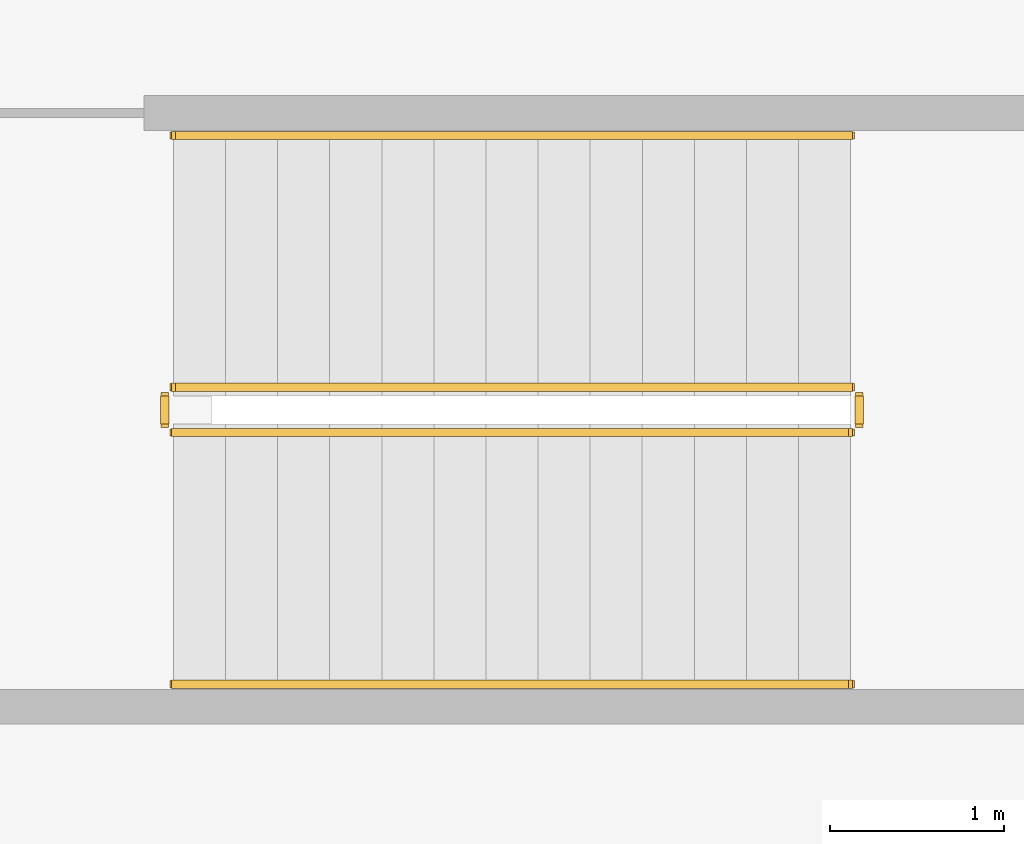
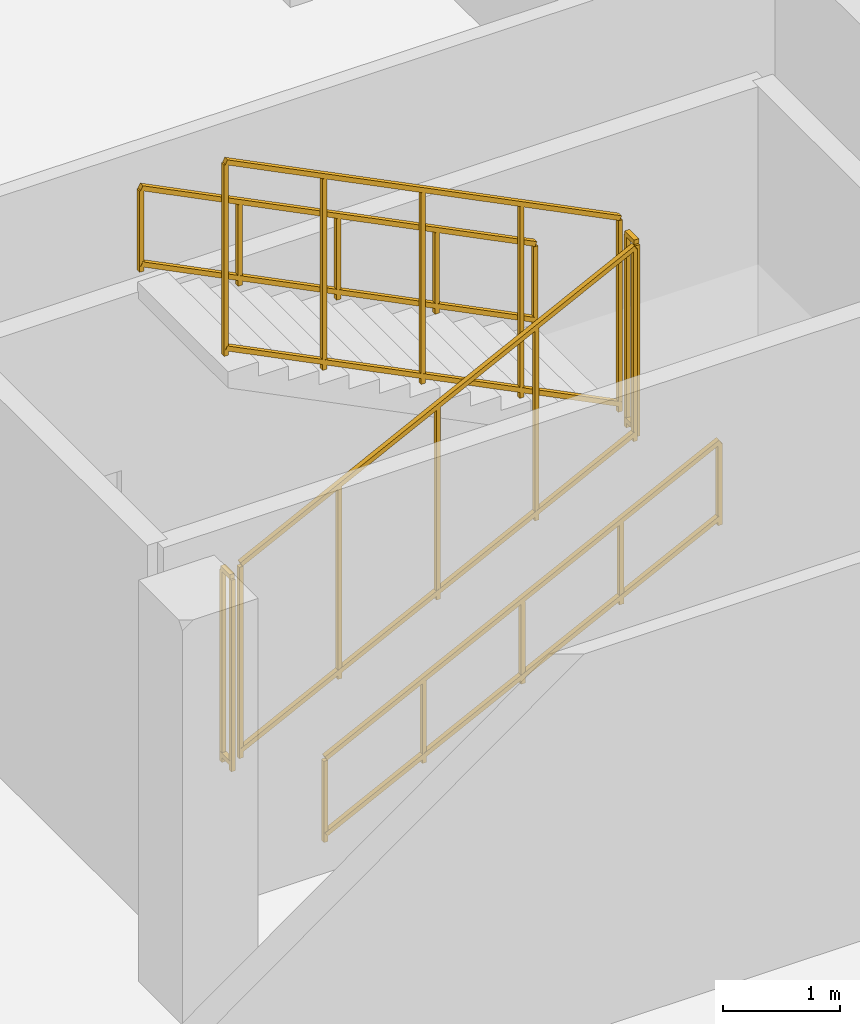
# One storey, part 17 of 19: 6 railings.
"""IFC4 building model written with IfcOpenShell, lengths in metres."""

from ifc_helpers import new_model, si_unit, direction, frame, origin, origin_2d, place, context, subcontext, project, spatial, rectangle, extrude, material, type_object, element, save


model = new_model("IFC4")

# Units and contexts
model_context = context("Model", 3, precision=1e-05, world=origin(), true_north=direction((0.0, 1.0)))
body_context = subcontext(model_context, "Body", "Model", "MODEL_VIEW")
ifc_project = project(units=[si_unit("LENGTHUNIT", "METRE"), si_unit("AREAUNIT", "SQUARE_METRE"), si_unit("VOLUMEUNIT", "CUBIC_METRE"), si_unit("PLANEANGLEUNIT", "RADIAN"), si_unit("MASSUNIT", "GRAM", prefix="KILO")], contexts=[model_context])

# Site, building, storey
site_placement = place(None, origin())
site = spatial("IfcSite", under=ifc_project, at=site_placement, CompositionType="ELEMENT")
building_placement = place(site_placement, origin())
building = spatial("IfcBuilding", under=site, at=building_placement, Name="Khorvyn Point Tower", CompositionType="ELEMENT")
storey_placement = place(building_placement, frame((0.0, 0.0, 13.199951171875)))
storey = spatial("IfcBuildingStorey", under=building, at=storey_placement, Name="L04", CompositionType="ELEMENT", Elevation=13.199951171875)

# Railings
ifc_material = material(Name="Stainless steel 1.4301", Category="steel")
railing_type_1 = type_object("IfcRailingType", Name="Stainless Steel 304 Stair Pitch Handrail 900", PredefinedType="HANDRAIL", material=ifc_material)
railing_1_placement = place(storey_placement, frame((25.949951171875, 8.610107421875, 0.150146484375)))
element("IfcRailing", 1, at=railing_1_placement, inside=storey, type_object=railing_type_1, Name="L04 ST-S3 stair handrail 1", PredefinedType="HANDRAIL", context=body_context, shape_type="SweptSolid", body=[
    extrude(rectangle(XDim=0.048095703125, YDim=0.048095703125, at=origin_2d()), frame((0.0, 0.0, 0.8759765625), z_axis=(0.894438388696, 0.0, 0.447191199406), x_axis=(0.0, 1.0, 0.0)), (0.0, 0.0, 1.0), 4.3603515625),
    extrude(rectangle(XDim=0.048095703125, YDim=0.048095703125, at=origin_2d()), frame((0.0, 0.0, 0.080078125), z_axis=(0.894438388696, 0.0, 0.447191199406), x_axis=(0.0, 1.0, 0.0)), (0.0, 0.0, 1.0), 4.3603515625),
    extrude(rectangle(XDim=0.0419921875, YDim=0.0419921875, at=origin_2d()), origin(), (0.0, 0.0, 1.0), 0.851806640625),
    extrude(rectangle(XDim=0.0419921875, YDim=0.0419921875, at=origin_2d()), frame((0.97509765625, 0.0, 0.487548828125)), (0.0, 0.0, 1.0), 0.851806640625),
    extrude(rectangle(XDim=0.0419921875, YDim=0.0419921875, at=origin_2d()), frame((1.9501953125, 0.0, 0.97509765625)), (0.0, 0.0, 1.0), 0.851806640625),
    extrude(rectangle(XDim=0.0419921875, YDim=0.0419921875, at=origin_2d()), frame((2.925048828125, 0.0, 1.46240234375)), (0.0, 0.0, 1.0), 0.851806640625),
    extrude(rectangle(XDim=0.0419921875, YDim=0.0419921875, at=origin_2d()), frame((3.900146484375, 0.0, 1.949951171875)), (0.0, 0.0, 1.0), 0.851806640625),
])
railing_2_placement = place(storey_placement, frame((29.85009765625, 11.77001953125, 2.25)))
element("IfcRailing", 2, at=railing_2_placement, inside=storey, type_object=railing_type_1, Name="L04 ST-S3 stair handrail 2", PredefinedType="HANDRAIL", context=body_context, shape_type="SweptSolid", body=[
    extrude(rectangle(XDim=0.048095703125, YDim=0.048095703125, at=origin_2d()), frame((0.0, 0.0, 0.8759765625), z_axis=(-0.894438388696, 0.0, 0.447191199406), x_axis=(0.0, -1.0, 0.0)), (0.0, 0.0, 1.0), 4.3603515625),
    extrude(rectangle(XDim=0.048095703125, YDim=0.048095703125, at=origin_2d()), frame((0.0, 0.0, 0.080078125), z_axis=(-0.894438388696, 0.0, 0.447191199406), x_axis=(0.0, -1.0, 0.0)), (0.0, 0.0, 1.0), 4.3603515625),
    extrude(rectangle(XDim=0.0419921875, YDim=0.0419921875, at=origin_2d()), origin(), (0.0, 0.0, 1.0), 0.851806640625),
    extrude(rectangle(XDim=0.0419921875, YDim=0.0419921875, at=origin_2d()), frame((-0.97509765625, 0.0, 0.487548828125)), (0.0, 0.0, 1.0), 0.851806640625),
    extrude(rectangle(XDim=0.0419921875, YDim=0.0419921875, at=origin_2d()), frame((-1.9501953125, 0.0, 0.97509765625)), (0.0, 0.0, 1.0), 0.851806640625),
    extrude(rectangle(XDim=0.0419921875, YDim=0.0419921875, at=origin_2d()), frame((-2.925048828125, 0.0, 1.46240234375)), (0.0, 0.0, 1.0), 0.851806640625),
    extrude(rectangle(XDim=0.0419921875, YDim=0.0419921875, at=origin_2d()), frame((-3.900146484375, 0.0, 1.949951171875)), (0.0, 0.0, 1.0), 0.851806640625),
])
railing_type_2 = type_object("IfcRailingType", Name="Stainless Steel 304 Stair Well Guardrail 1400", PredefinedType="GUARDRAIL", material=ifc_material)
railing_3_placement = place(storey_placement, frame((25.949951171875, 10.06005859375, 0.150146484375)))
element("IfcRailing", 3, at=railing_3_placement, inside=storey, type_object=railing_type_2, Name="L04 ST-S3 stair guard 1", PredefinedType="GUARDRAIL", context=body_context, shape_type="SweptSolid", body=[
    extrude(rectangle(XDim=0.048095703125, YDim=0.048095703125, at=origin_2d()), frame((0.0, 0.0, 2.02587890625), z_axis=(0.894438388696, 0.0, 0.447191199406), x_axis=(0.0, 1.0, 0.0)), (0.0, 0.0, 1.0), 4.3603515625),
    extrude(rectangle(XDim=0.048095703125, YDim=0.048095703125, at=origin_2d()), frame((0.0, 0.0, 0.080078125), z_axis=(0.894438388696, 0.0, 0.447191199406), x_axis=(0.0, 1.0, 0.0)), (0.0, 0.0, 1.0), 4.3603515625),
    extrude(rectangle(XDim=0.0419921875, YDim=0.0419921875, at=origin_2d()), origin(), (0.0, 0.0, 1.0), 2.001953125),
    extrude(rectangle(XDim=0.0419921875, YDim=0.0419921875, at=origin_2d()), frame((0.97509765625, 0.0, 0.487548828125)), (0.0, 0.0, 1.0), 2.001953125),
    extrude(rectangle(XDim=0.0419921875, YDim=0.0419921875, at=origin_2d()), frame((1.9501953125, 0.0, 0.97509765625)), (0.0, 0.0, 1.0), 2.001953125),
    extrude(rectangle(XDim=0.0419921875, YDim=0.0419921875, at=origin_2d()), frame((2.925048828125, 0.0, 1.46240234375)), (0.0, 0.0, 1.0), 2.001953125),
    extrude(rectangle(XDim=0.0419921875, YDim=0.0419921875, at=origin_2d()), frame((3.900146484375, 0.0, 1.949951171875)), (0.0, 0.0, 1.0), 2.001953125),
])
railing_4_placement = place(storey_placement, frame((29.89990234375, 10.110107421875, 2.10009765625)))
element("IfcRailing", 4, at=railing_4_placement, inside=storey, type_object=railing_type_2, Name="L04 ST-S3 stair guard 2", PredefinedType="GUARDRAIL", context=body_context, shape_type="SweptSolid", body=[
    extrude(rectangle(XDim=0.048095703125, YDim=0.048095703125, at=origin_2d()), frame((0.0, 0.0, 2.02587890625), z_axis=(0.0, 1.0, 0.0), x_axis=(-1.0, 0.0, 0.0)), (0.0, 0.0, 1.0), 0.159912109375),
    extrude(rectangle(XDim=0.048095703125, YDim=0.048095703125, at=origin_2d()), frame((0.0, 0.0, 0.080078125), z_axis=(0.0, 1.0, 0.0), x_axis=(-1.0, 0.0, 0.0)), (0.0, 0.0, 1.0), 0.159912109375),
    extrude(rectangle(XDim=0.0419921875, YDim=0.0419921875, at=origin_2d()), origin(), (0.0, 0.0, 1.0), 2.001953125),
    extrude(rectangle(XDim=0.0419921875, YDim=0.0419921875, at=origin_2d()), frame((0.0, 0.159912109375, 0.0)), (0.0, 0.0, 1.0), 2.001953125),
])
railing_5_placement = place(storey_placement, frame((29.85009765625, 10.320068359375, 2.25)))
element("IfcRailing", 5, at=railing_5_placement, inside=storey, type_object=railing_type_2, Name="L04 ST-S3 stair guard 3", PredefinedType="GUARDRAIL", context=body_context, shape_type="SweptSolid", body=[
    extrude(rectangle(XDim=0.048095703125, YDim=0.048095703125, at=origin_2d()), frame((0.0, 0.0, 2.02587890625), z_axis=(-0.894438388696, 0.0, 0.447191199406), x_axis=(0.0, -1.0, 0.0)), (0.0, 0.0, 1.0), 4.3603515625),
    extrude(rectangle(XDim=0.048095703125, YDim=0.048095703125, at=origin_2d()), frame((0.0, 0.0, 0.080078125), z_axis=(-0.894438388696, 0.0, 0.447191199406), x_axis=(0.0, -1.0, 0.0)), (0.0, 0.0, 1.0), 4.3603515625),
    extrude(rectangle(XDim=0.0419921875, YDim=0.0419921875, at=origin_2d()), origin(), (0.0, 0.0, 1.0), 2.001953125),
    extrude(rectangle(XDim=0.0419921875, YDim=0.0419921875, at=origin_2d()), frame((-0.97509765625, 0.0, 0.487548828125)), (0.0, 0.0, 1.0), 2.001953125),
    extrude(rectangle(XDim=0.0419921875, YDim=0.0419921875, at=origin_2d()), frame((-1.9501953125, 0.0, 0.97509765625)), (0.0, 0.0, 1.0), 2.001953125),
    extrude(rectangle(XDim=0.0419921875, YDim=0.0419921875, at=origin_2d()), frame((-2.925048828125, 0.0, 1.46240234375)), (0.0, 0.0, 1.0), 2.001953125),
    extrude(rectangle(XDim=0.0419921875, YDim=0.0419921875, at=origin_2d()), frame((-3.900146484375, 0.0, 1.949951171875)), (0.0, 0.0, 1.0), 2.001953125),
])
railing_6_placement = place(storey_placement, frame((25.89990234375, 10.110107421875, 0.0)))
element("IfcRailing", 6, at=railing_6_placement, inside=storey, type_object=railing_type_2, Name="L04 ST-S3 stair guard 4", PredefinedType="GUARDRAIL", context=body_context, shape_type="SweptSolid", body=[
    extrude(rectangle(XDim=0.048095703125, YDim=0.048095703125, at=origin_2d()), frame((0.0, 0.0, 2.02587890625), z_axis=(0.0, 1.0, 0.0), x_axis=(-1.0, 0.0, 0.0)), (0.0, 0.0, 1.0), 0.159912109375),
    extrude(rectangle(XDim=0.048095703125, YDim=0.048095703125, at=origin_2d()), frame((0.0, 0.0, 0.080078125), z_axis=(0.0, 1.0, 0.0), x_axis=(-1.0, 0.0, 0.0)), (0.0, 0.0, 1.0), 0.159912109375),
    extrude(rectangle(XDim=0.0419921875, YDim=0.0419921875, at=origin_2d()), origin(), (0.0, 0.0, 1.0), 2.001953125),
    extrude(rectangle(XDim=0.0419921875, YDim=0.0419921875, at=origin_2d()), frame((0.0, 0.159912109375, 0.0)), (0.0, 0.0, 1.0), 2.001953125),
])

save(model, "model.ifc")
